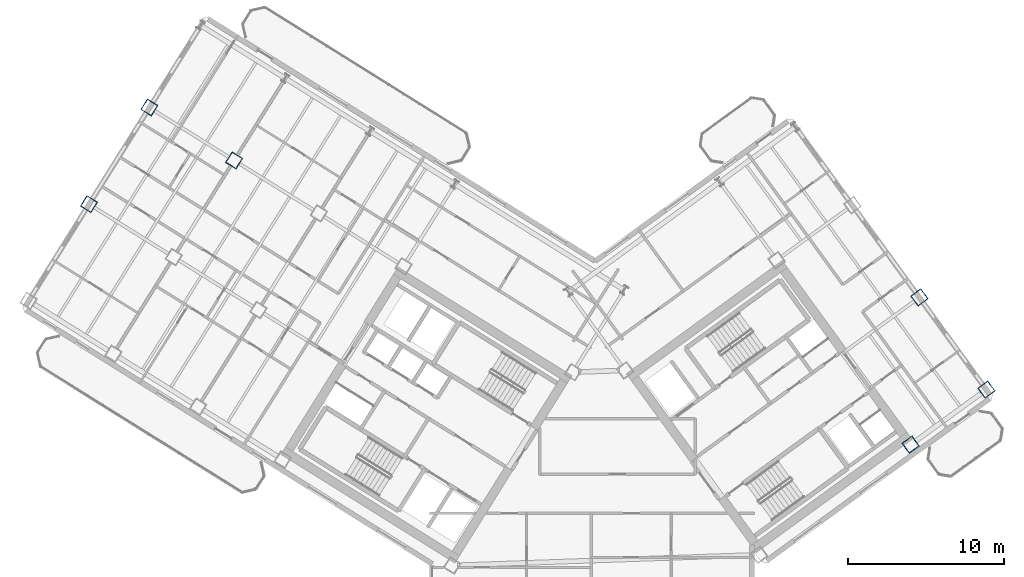
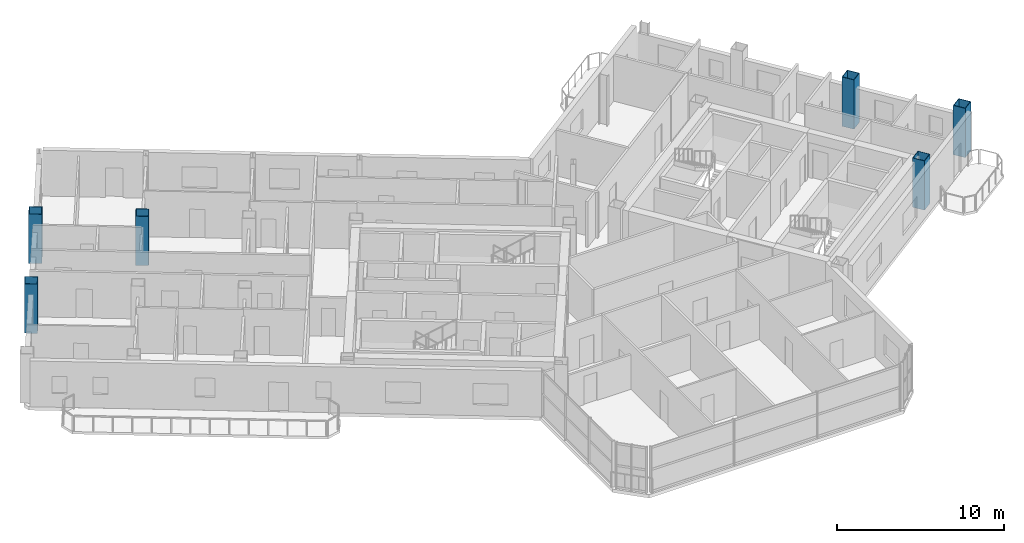
# One storey, part 2 of 20: 6 columns.
"""IFC4 building model written with IfcOpenShell, lengths in metres."""

from ifc_helpers import new_model, si_unit, direction, frame, origin, origin_2d, place, context, subcontext, project, spatial, hollow_rectangle, extrude, source, transform, mapped, material, material_profile, profile_set, type_object, element, save


model = new_model("IFC4")

# Units and contexts
model_context = context("Model", 3, precision=1e-05, world=origin(), true_north=direction((0.0, 1.0)))
body_context = subcontext(model_context, "Body", "Model", "MODEL_VIEW")
ifc_project = project(units=[si_unit("LENGTHUNIT", "METRE"), si_unit("AREAUNIT", "SQUARE_METRE"), si_unit("VOLUMEUNIT", "CUBIC_METRE"), si_unit("PLANEANGLEUNIT", "RADIAN"), si_unit("MASSUNIT", "GRAM", prefix="KILO")], contexts=[model_context])

# Site, building, storey
site_placement = place(None, origin())
site = spatial("IfcSite", under=ifc_project, at=site_placement, CompositionType="ELEMENT")
building_placement = place(site_placement, origin())
building = spatial("IfcBuilding", under=site, at=building_placement, Name="Tlacorven Tower", CompositionType="ELEMENT")
storey_placement = place(building_placement, frame((0.0, 0.0, 187.800048828125)))
storey = spatial("IfcBuildingStorey", under=building, at=storey_placement, Name="L47", CompositionType="ELEMENT", Elevation=187.800048828125)

# Columns
ifc_material = material(Name="Steel S460M", Category="steel")
ifc_material_profile = material_profile(ifc_material, hollow_rectangle(XDim=0.800048828125, YDim=0.800048828125, WallThickness=0.031982421875, at=origin_2d()), Name="BOX 800X800X32")
ifc_profile_set = profile_set([ifc_material_profile], Name="Steel S460M")
column_type = type_object("IfcColumnType", Name="COL-TWR-S3", PredefinedType="COLUMN", material=ifc_profile_set)
shared_shape = source(origin(), body_context, "Body", "SweptSolid", [
    extrude(hollow_rectangle(XDim=0.800048828125, YDim=0.800048828125, WallThickness=0.031982421875, at=origin_2d()), origin(), (0.0, 0.0, 1.0), 3.599853515625),
])
for number, where, z_axis, x_axis, name in (
    (1, (19.072998046875, 38.034423828125, 0.0), (0.0, 0.0, 1.0), (-0.848048096156, 0.529919264233, 0.0), "L47 column COL-L47-W5-2"),
    (2, (13.6455078125, 41.42578125, 0.0), (0.0, 0.0, 1.0), (-0.848048096156, 0.529919264233, 0.0), "L47 column COL-L47-W6-2"),
    (3, (9.777099609375, 35.235107421875, 0.0), (0.0, 0.0, 1.0), (-0.848048096156, 0.529919264233, 0.0), "L47 column COL-L47-W6-3"),
    (4, (62.41357421875, 19.826904296875, 0.0), (0.0, 0.0, 1.0), (0.809016994375, 0.587785252292, 0.0), "L47 column COL-L47-E3-1"),
    (5, (67.267822265625, 23.353515625, 0.0), (0.0, 0.0, 1.0), (0.809016994375, 0.587785252292, 0.0), "L47 column COL-L47-E4-1"),
    (6, (62.976806640625, 29.25927734375, 0.0), (0.0, 0.0, 1.0), (0.809016994375, 0.587785252292, 0.0), "L47 column COL-L47-E4-2"),
):
    element("IfcColumn", number, at=place(storey_placement, frame(where, z_axis=z_axis, x_axis=x_axis)), inside=storey, type_object=column_type, Name=name, PredefinedType="COLUMN", context=body_context, shape_type="MappedRepresentation", body=[
        mapped(shared_shape, transform((0.0, 0.0, 0.0), scale=1.0)),
    ])

save(model, "model.ifc")
